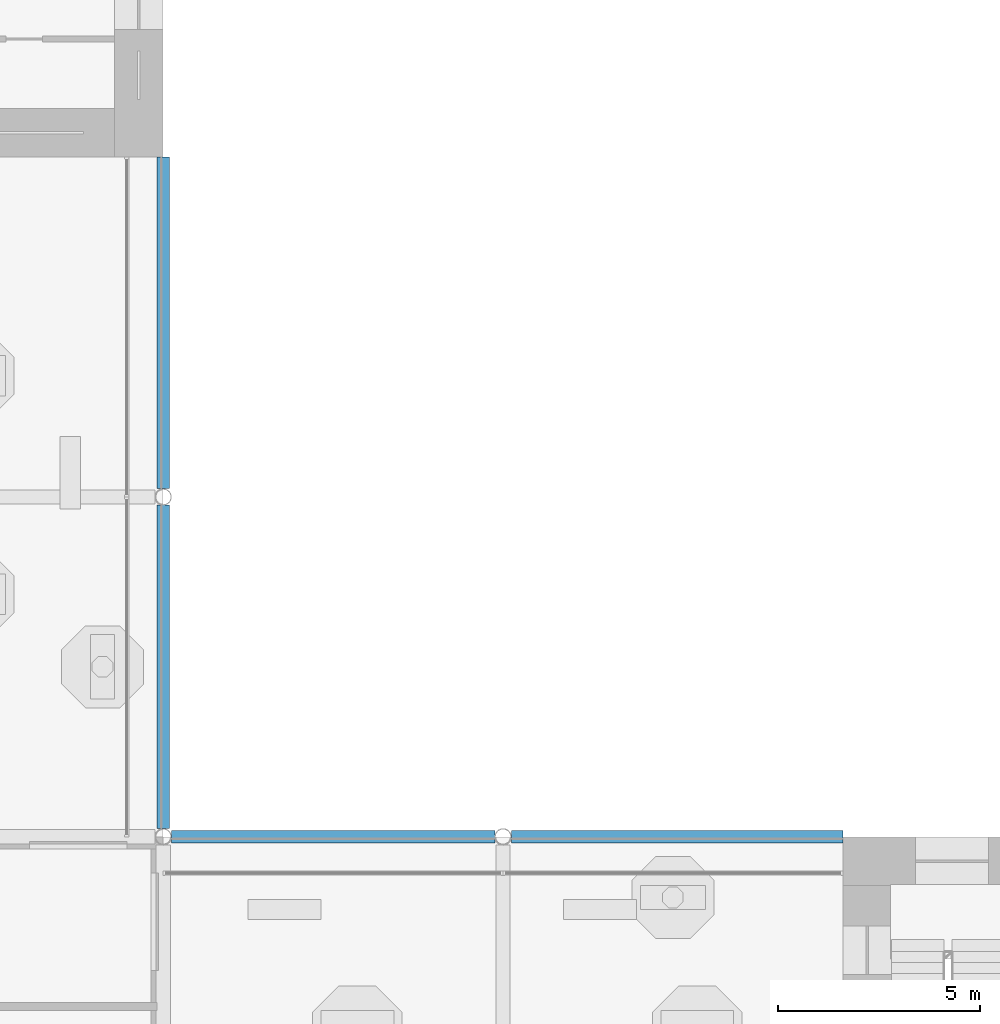
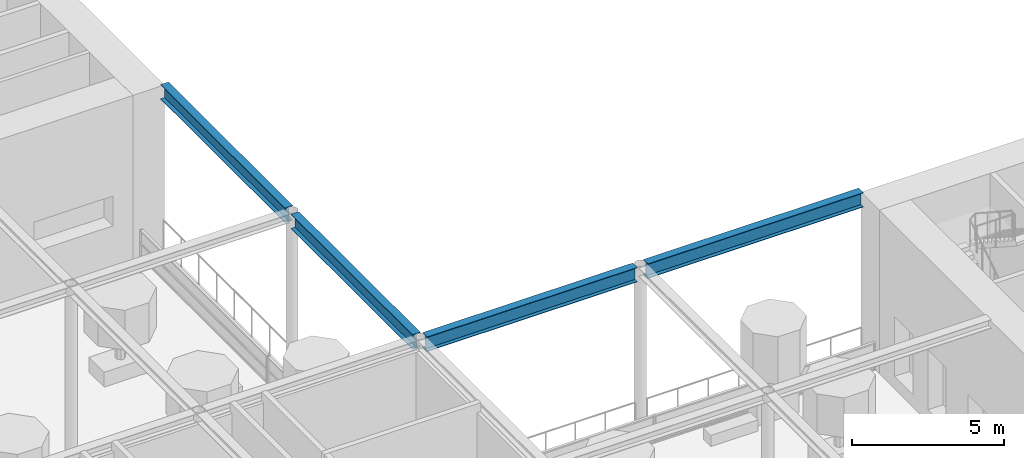
# One storey, part 4 of 15: 4 beams.
"""IFC4 building model written with IfcOpenShell, lengths in metres."""

from ifc_helpers import new_model, si_unit, direction, frame, origin, origin_2d, place, context, subcontext, project, spatial, i_section, extrude, material, material_profile, profile_set, type_object, element, save


model = new_model("IFC4")

# Units and contexts
model_context = context("Model", 3, precision=1e-05, world=origin(), true_north=direction((0.0, 1.0)))
body_context = subcontext(model_context, "Body", "Model", "MODEL_VIEW")
ifc_project = project(units=[si_unit("LENGTHUNIT", "METRE"), si_unit("AREAUNIT", "SQUARE_METRE"), si_unit("VOLUMEUNIT", "CUBIC_METRE"), si_unit("PLANEANGLEUNIT", "RADIAN"), si_unit("MASSUNIT", "GRAM", prefix="KILO")], contexts=[model_context])

# Site, building, storey
site_placement = place(None, origin())
site = spatial("IfcSite", under=ifc_project, at=site_placement, CompositionType="ELEMENT")
building_placement = place(site_placement, origin())
building = spatial("IfcBuilding", under=site, at=building_placement, Name="Vermilion Gate Residences", CompositionType="ELEMENT")
storey_placement = place(building_placement, frame((0.0, 0.0, 277.199951171875)))
storey = spatial("IfcBuildingStorey", under=building, at=storey_placement, Name="L73", CompositionType="ELEMENT", Elevation=277.199951171875)

# Beams
ifc_material = material(Name="Steel SM355", Category="steel")
ifc_material_profile = material_profile(ifc_material, i_section(OverallWidth=0.300048828125, OverallDepth=0.587890625, WebThickness=0.011962890625, FlangeThickness=0.02001953125, at=origin_2d()), Name="H-588x300x12x20")
ifc_profile_set = profile_set([ifc_material_profile], Name="Steel SM355")
beam_type = type_object("IfcBeamType", Name="STEEL RING BEAM H-588x300x12x20 SM355", PredefinedType="BEAM", material=ifc_profile_set)
beam_1_placement = place(storey_placement, frame((25.199951171875, 25.4033203125, 6.35595703125), z_axis=(0.0, 1.0, 0.0), x_axis=(-1.0, 0.0, 0.0)))
element("IfcBeam", 1, at=beam_1_placement, inside=storey, type_object=beam_type, Name="Crown frame ring beam 10", PredefinedType="BEAM", context=body_context, shape_type="SweptSolid", body=[
    extrude(i_section(OverallWidth=0.300048828125, OverallDepth=0.587890625, WebThickness=0.011962890625, FlangeThickness=0.02001953125, at=origin_2d()), origin(), (0.0, 0.0, 1.0), 7.993408203125),
])
beam_2_placement = place(storey_placement, frame((25.199951171875, 33.80322265625, 6.35595703125), z_axis=(0.0, 1.0, 0.0), x_axis=(-1.0, 0.0, 0.0)))
element("IfcBeam", 2, at=beam_2_placement, inside=storey, type_object=beam_type, Name="Crown frame ring beam 11", PredefinedType="BEAM", context=body_context, shape_type="SweptSolid", body=[
    extrude(i_section(OverallWidth=0.300048828125, OverallDepth=0.587890625, WebThickness=0.011962890625, FlangeThickness=0.02001953125, at=origin_2d()), origin(), (0.0, 0.0, 1.0), 8.19677734375),
])
beam_3_placement = place(storey_placement, frame((25.4033203125, 25.199951171875, 6.35595703125), z_axis=(1.0, 0.0, 0.0), x_axis=(0.0, 1.0, 0.0)))
element("IfcBeam", 3, at=beam_3_placement, inside=storey, type_object=beam_type, Name="Crown frame ring beam 16", PredefinedType="BEAM", context=body_context, shape_type="SweptSolid", body=[
    extrude(i_section(OverallWidth=0.300048828125, OverallDepth=0.587890625, WebThickness=0.011962890625, FlangeThickness=0.02001953125, at=origin_2d()), origin(), (0.0, 0.0, 1.0), 7.993408203125),
])
beam_4_placement = place(storey_placement, frame((33.80322265625, 25.199951171875, 6.35595703125), z_axis=(1.0, 0.0, 0.0), x_axis=(0.0, 1.0, 0.0)))
element("IfcBeam", 4, at=beam_4_placement, inside=storey, type_object=beam_type, Name="Crown frame ring beam 18", PredefinedType="BEAM", context=body_context, shape_type="SweptSolid", body=[
    extrude(i_section(OverallWidth=0.300048828125, OverallDepth=0.587890625, WebThickness=0.011962890625, FlangeThickness=0.02001953125, at=origin_2d()), origin(), (0.0, 0.0, 1.0), 8.19677734375),
])

save(model, "model.ifc")
